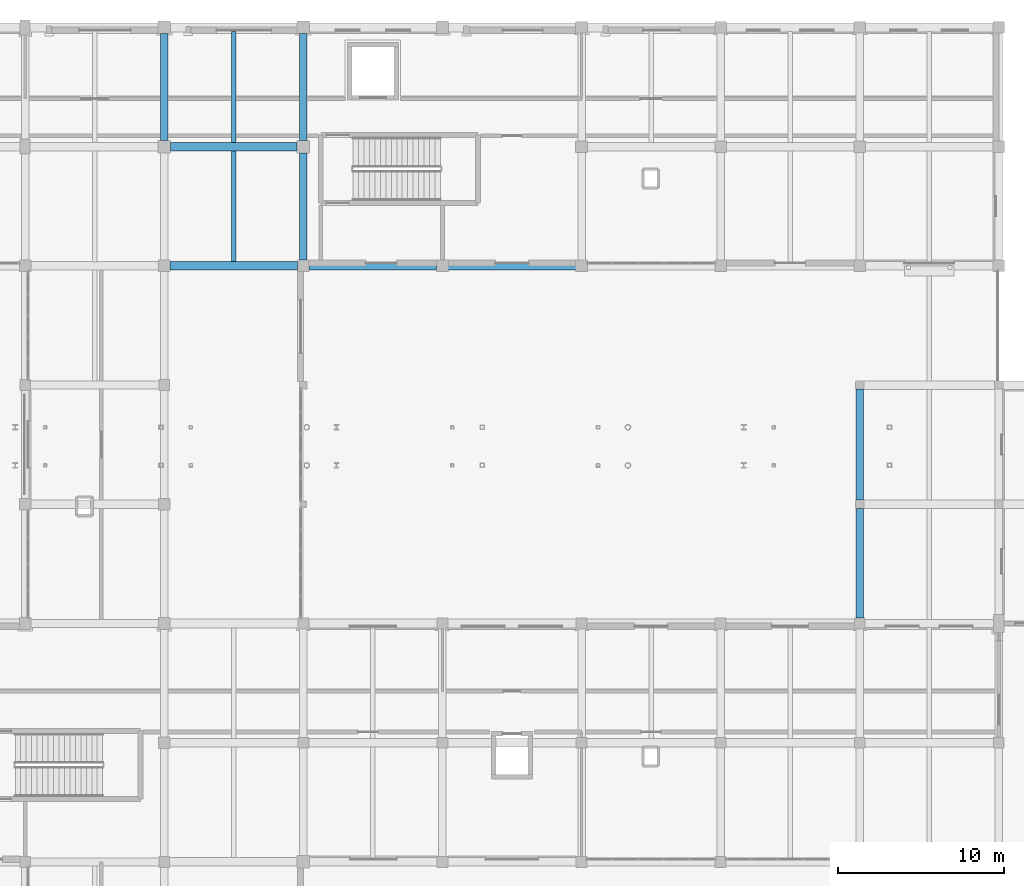
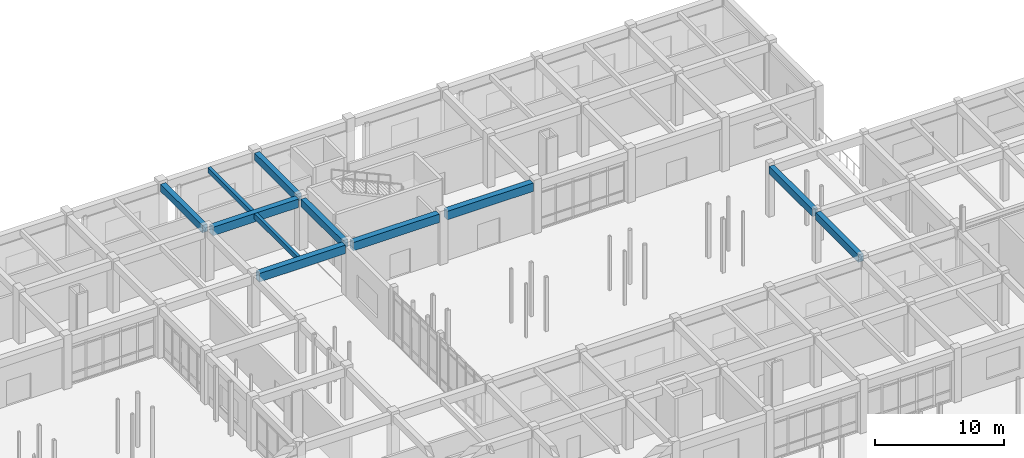
# One storey, part 57 of 121: 11 beams.
"""IFC4 building model written with IfcOpenShell, lengths in metres."""

from ifc_helpers import new_model, si_unit, direction, frame, origin, origin_2d, place, context, subcontext, project, spatial, rectangle, extrude, material, material_profile, profile_set, type_object, element, save


model = new_model("IFC4")

# Units and contexts
model_context = context("Model", 3, precision=1e-05, world=origin(), true_north=direction((0.0, 1.0)))
body_context = subcontext(model_context, "Body", "Model", "MODEL_VIEW")
ifc_project = project(units=[si_unit("LENGTHUNIT", "METRE"), si_unit("AREAUNIT", "SQUARE_METRE"), si_unit("VOLUMEUNIT", "CUBIC_METRE"), si_unit("PLANEANGLEUNIT", "RADIAN"), si_unit("MASSUNIT", "GRAM", prefix="KILO")], contexts=[model_context])

# Site, building, storey
site_placement = place(None, origin())
site = spatial("IfcSite", under=ifc_project, at=site_placement, CompositionType="ELEMENT")
building_placement = place(site_placement, origin())
building = spatial("IfcBuilding", under=site, at=building_placement, Name="Malvenik Polytechnic", CompositionType="ELEMENT")
storey_placement = place(building_placement, origin())
storey = spatial("IfcBuildingStorey", under=building, at=storey_placement, Name="L00", CompositionType="ELEMENT", Elevation=0.0)

# Beams
ifc_material_1 = material(Name="Concrete C35/45", Category="concrete")
ifc_material_profile_1 = material_profile(ifc_material_1, rectangle(XDim=0.5, YDim=0.800048828125, at=origin_2d()), Name="RC BM 500x800")
ifc_profile_set_1 = profile_set([ifc_material_profile_1], Name="Concrete C35/45")
beam_type_1 = type_object("IfcBeamType", Name="STR-BM-B-02", PredefinedType="BEAM", material=ifc_profile_set_1)
beam_1_placement = place(storey_placement, frame((84.373046875, 122.39990234375, 4.419921875), z_axis=(1.0, 0.0, 0.0), x_axis=(0.0, 1.0, 0.0)))
element("IfcBeam", 1, at=beam_1_placement, inside=storey, type_object=beam_type_1, Name="Primary Beam B-02 L00 #694", PredefinedType="BEAM", context=body_context, shape_type="SweptSolid", body=[
    extrude(rectangle(XDim=0.5, YDim=0.800048828125, at=origin_2d()), origin(), (0.0, 0.0, 1.0), 7.654052734375),
])
ifc_material_profile_2 = material_profile(ifc_material_1, rectangle(XDim=0.449951171875, YDim=0.699951171875, at=origin_2d()), Name="RC BM 450x700")
ifc_profile_set_2 = profile_set([ifc_material_profile_2], Name="Concrete C35/45")
beam_type_2 = type_object("IfcBeamType", Name="STR-BM-B-04", PredefinedType="BEAM", material=ifc_profile_set_2)
beam_2_placement = place(storey_placement, frame((84.0, 122.77294921875, 4.469970703125), z_axis=(0.0, 1.0, 0.0), x_axis=(-1.0, 0.0, 0.0)))
element("IfcBeam", 2, at=beam_2_placement, inside=storey, type_object=beam_type_2, Name="Transverse Beam B-04 L00 #793", PredefinedType="BEAM", context=body_context, shape_type="SweptSolid", body=[
    extrude(rectangle(XDim=0.449951171875, YDim=0.699951171875, at=origin_2d()), origin(), (0.0, 0.0, 1.0), 6.4541015625),
])
beam_3_placement = place(storey_placement, frame((92.39990234375, 115.548095703125, 4.469970703125), z_axis=(0.0, 1.0, 0.0), x_axis=(-1.0, 0.0, 0.0)))
element("IfcBeam", 3, at=beam_3_placement, inside=storey, type_object=beam_type_2, Name="Transverse Beam B-04 L00 #800", PredefinedType="BEAM", context=body_context, shape_type="SweptSolid", body=[
    extrude(rectangle(XDim=0.449951171875, YDim=0.699951171875, at=origin_2d()), origin(), (0.0, 0.0, 1.0), 6.47900390625),
])
beam_4_placement = place(storey_placement, frame((92.39990234375, 122.77294921875, 4.469970703125), z_axis=(0.0, 1.0, 0.0), x_axis=(-1.0, 0.0, 0.0)))
element("IfcBeam", 4, at=beam_4_placement, inside=storey, type_object=beam_type_2, Name="Transverse Beam B-04 L00 #801", PredefinedType="BEAM", context=body_context, shape_type="SweptSolid", body=[
    extrude(rectangle(XDim=0.449951171875, YDim=0.699951171875, at=origin_2d()), origin(), (0.0, 0.0, 1.0), 6.4541015625),
])
beam_5_placement = place(storey_placement, frame((126.0, 93.923095703125, 4.469970703125), z_axis=(0.0, 1.0, 0.0), x_axis=(-1.0, 0.0, 0.0)))
element("IfcBeam", 5, at=beam_5_placement, inside=storey, type_object=beam_type_2, Name="Transverse Beam B-04 L00 #832", PredefinedType="BEAM", context=body_context, shape_type="SweptSolid", body=[
    extrude(rectangle(XDim=0.449951171875, YDim=0.699951171875, at=origin_2d()), origin(), (0.0, 0.0, 1.0), 6.62890625),
])
beam_6_placement = place(storey_placement, frame((126.0, 101.048095703125, 4.469970703125), z_axis=(0.0, 1.0, 0.0), x_axis=(-1.0, 0.0, 0.0)))
element("IfcBeam", 6, at=beam_6_placement, inside=storey, type_object=beam_type_2, Name="Transverse Beam B-04 L00 #833", PredefinedType="BEAM", context=body_context, shape_type="SweptSolid", body=[
    extrude(rectangle(XDim=0.449951171875, YDim=0.699951171875, at=origin_2d()), origin(), (0.0, 0.0, 1.0), 6.703857421875),
])
ifc_material_2 = material(Name="Concrete C30/37", Category="concrete")
ifc_material_profile_3 = material_profile(ifc_material_2, rectangle(XDim=0.280029296875, YDim=0.47998046875, at=origin_2d()), Name="RC JST 280x480")
ifc_profile_set_3 = profile_set([ifc_material_profile_3], Name="Concrete C30/37")
beam_type_3 = type_object("IfcBeamType", Name="STR-BM-J-01", PredefinedType="JOIST", material=ifc_profile_set_3)
for number, where, z_axis, x_axis, name in (
    (7, (88.199951171875, 115.4580078125, 4.580078125), (0.0, 1.0, 0.0), (-1.0, 0.0, 0.0), "Secondary Rib Joist J-01 L00 #914"),
    (8, (88.199951171875, 122.64794921875, 4.580078125), (0.0, 1.0, 0.0), (-1.0, 0.0, 0.0), "Secondary Rib Joist J-01 L00 #915"),
):
    element("IfcBeam", number, at=place(storey_placement, frame(where, z_axis=z_axis, x_axis=x_axis)), inside=storey, type_object=beam_type_3, Name=name, PredefinedType="JOIST", context=body_context, shape_type="SweptSolid", body=[
        extrude(rectangle(XDim=0.280029296875, YDim=0.47998046875, at=origin_2d()), origin(), (0.0, 0.0, 1.0), 6.694091796875),
    ])
ifc_material_3 = material(Name="Precast concrete C40/50", Category="concrete")
ifc_material_profile_4 = material_profile(ifc_material_3, rectangle(XDim=0.52001953125, YDim=0.800048828125, at=origin_2d()), Name="PC SPN 520x800")
ifc_profile_set_4 = profile_set([ifc_material_profile_4], Name="Precast concrete C40/50")
beam_type_4 = type_object("IfcBeamType", Name="STR-BM-SP-01", PredefinedType="SPANDREL", material=ifc_profile_set_4)
beam_7_placement = place(storey_placement, frame((84.347900390625, 115.199951171875, 4.419921875), z_axis=(1.0, 0.0, 0.0), x_axis=(0.0, 1.0, 0.0)))
element("IfcBeam", 9, at=beam_7_placement, inside=storey, type_object=beam_type_4, Name="Primary Beam SP-01 L00 #682", PredefinedType="SPANDREL", context=body_context, shape_type="SweptSolid", body=[
    extrude(rectangle(XDim=0.52001953125, YDim=0.800048828125, at=origin_2d()), origin(), (0.0, 0.0, 1.0), 7.7041015625),
])
beam_8_placement = place(storey_placement, frame((92.748046875, 115.199951171875, 4.419921875), z_axis=(1.0, 0.0, 0.0), x_axis=(0.0, 1.0, 0.0)))
element("IfcBeam", 10, at=beam_8_placement, inside=storey, type_object=beam_type_4, Name="Primary Beam SP-01 L00 #683", PredefinedType="SPANDREL", context=body_context, shape_type="SweptSolid", body=[
    extrude(rectangle(XDim=0.52001953125, YDim=0.800048828125, at=origin_2d()), origin(), (0.0, 0.0, 1.0), 7.703857421875),
])
beam_9_placement = place(storey_placement, frame((101.14794921875, 115.199951171875, 4.419921875), z_axis=(1.0, 0.0, 0.0), x_axis=(0.0, 1.0, 0.0)))
element("IfcBeam", 11, at=beam_9_placement, inside=storey, type_object=beam_type_4, Name="Primary Beam SP-01 L00 #684", PredefinedType="SPANDREL", context=body_context, shape_type="SweptSolid", body=[
    extrude(rectangle(XDim=0.52001953125, YDim=0.800048828125, at=origin_2d()), origin(), (0.0, 0.0, 1.0), 7.7041015625),
])

save(model, "model.ifc")
